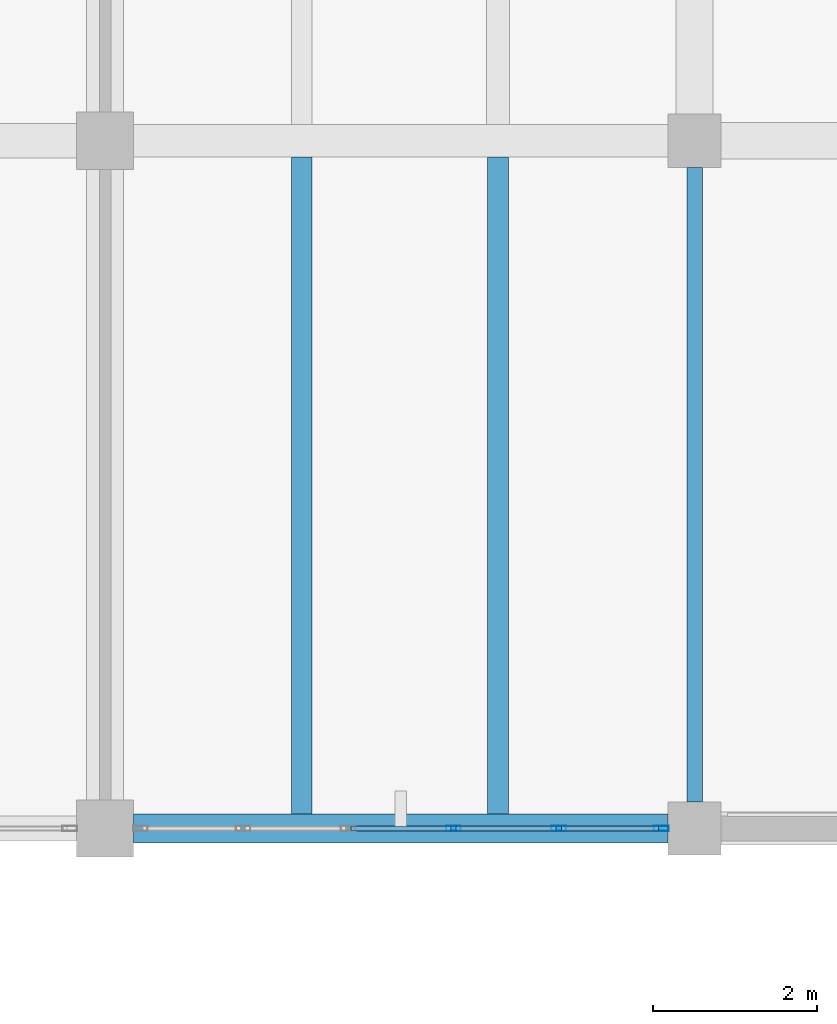
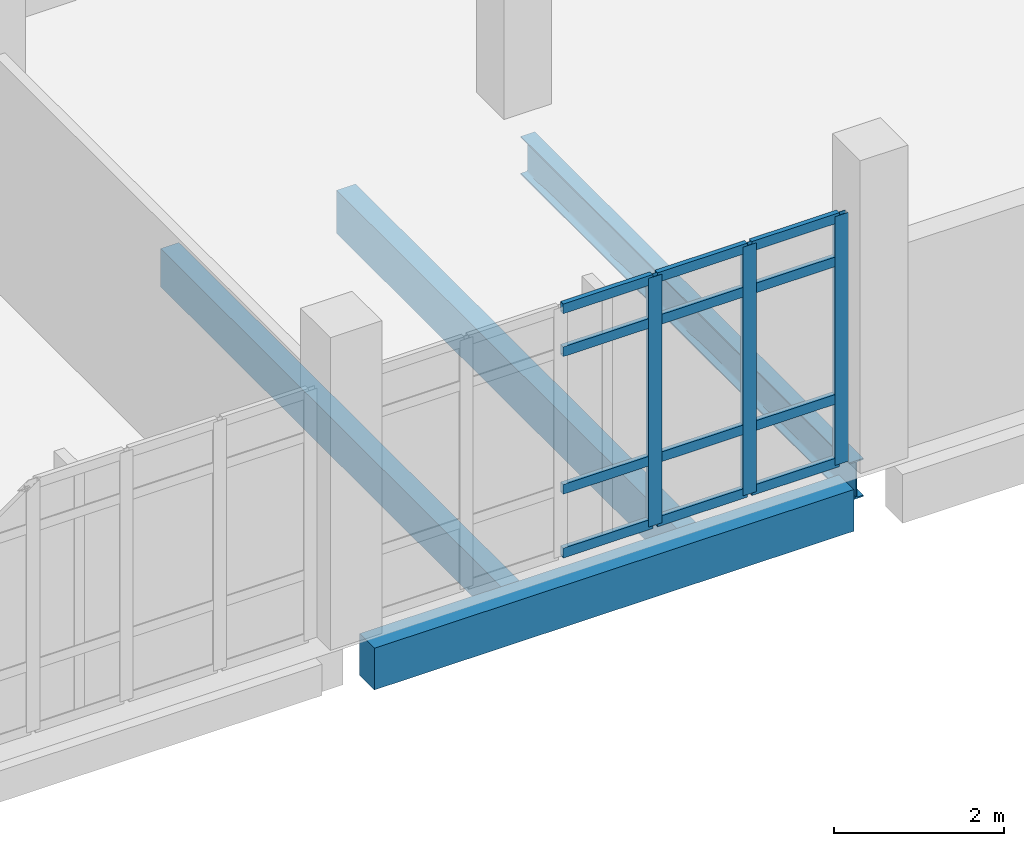
# One storey, part 50 of 87: 15 members, 4 beams, 1 element without a shape of its own.
"""IFC4 building model written with IfcOpenShell, lengths in metres."""

import ifcopenshell
import ifcopenshell.guid

model = None  # the IFC model being written
_history = None  # IfcOwnerHistory: only IFC2X3 demands one
_inside = {}  # id of a spatial element -> (the spatial element, [elements in it])
_under = {}  # id of a project, library or spatial element -> (it, [spatial elements below it])
_declared = {}  # id of a project -> (the project, [libraries it declares])
_typed = {}  # id of a type object -> (the type object, [elements of that type])
_made_of = {}  # id of a material, layer set ... -> (it, [elements and type objects made of it])


def new_model(schema):
    """Start an empty IFC model of exactly this schema.

    Asked for "IFC4X3", IfcOpenShell would pick the latest addendum, in which some entities
    have other attributes; the version numbers below select the first issue.
    IFC2X3 requires an IfcOwnerHistory on every rooted entity: one is made here for all.
    """
    global model, _history
    if schema == "IFC4X3":
        model = ifcopenshell.file(schema_version=(4, 3, 0, 0))
    else:
        model = ifcopenshell.file(schema=schema)
    _inside.clear()
    _under.clear()
    _declared.clear()
    _typed.clear()
    _made_of.clear()
    _history = None
    if model.schema == "IFC2X3":
        org = make("IfcOrganization", Name="unknown")
        user = make(
            "IfcPersonAndOrganization",
            ThePerson=make("IfcPerson", FamilyName="unknown"),
            TheOrganization=org,
        )
        app = make(
            "IfcApplication",
            ApplicationDeveloper=org,
            Version="unknown",
            ApplicationFullName="unknown",
            ApplicationIdentifier="unknown",
        )
        _history = make(
            "IfcOwnerHistory",
            OwningUser=user,
            OwningApplication=app,
            ChangeAction="ADDED",
            CreationDate=0,
        )
    return model


def make(cls, **values):
    """One entity of the class cls with the attributes given. An attribute that is None is left unset."""
    return model.create_entity(
        cls, **{name: value for name, value in values.items() if value is not None}
    )


def rooted(cls, **values):
    """An entity with a GlobalId (a new one), such as an element, a storey or a relation."""
    return make(cls, GlobalId=ifcopenshell.guid.new(), OwnerHistory=_history, **values)


def si_unit(unit_type, name, prefix=None):
    """IfcSIUnit, for example si_unit("LENGTHUNIT", "METRE", prefix="MILLI")."""
    return make("IfcSIUnit", UnitType=unit_type, Prefix=prefix, Name=name)


def assignment(units):
    """IfcUnitAssignment: the units of a project."""
    return None if units is None else make("IfcUnitAssignment", Units=units)


def point(xyz):
    """IfcCartesianPoint."""
    return None if xyz is None else make("IfcCartesianPoint", Coordinates=xyz)


def direction(xyz):
    """IfcDirection."""
    return None if xyz is None else make("IfcDirection", DirectionRatios=xyz)


def frame(location, z_axis=None, x_axis=None):
    """IfcAxis2Placement3D, a coordinate frame: its origin and axes. An axis left out is left unset."""
    return make(
        "IfcAxis2Placement3D",
        Location=point(location),
        Axis=direction(z_axis),
        RefDirection=direction(x_axis),
    )


def frame_2d(location, x_axis=None):
    """IfcAxis2Placement2D, a coordinate frame in the plane: its origin and x axis."""
    return make(
        "IfcAxis2Placement2D", Location=point(location), RefDirection=direction(x_axis)
    )


def origin():
    """The frame at (0, 0, 0) with its axes left unset."""
    return frame((0.0, 0.0, 0.0))


def origin_2d():
    """The frame at (0, 0) in the plane with its x axis left unset."""
    return frame_2d((0.0, 0.0))


def place(relative_to, where):
    """IfcLocalPlacement: puts the frame where relative to a parent placement (None: the world)."""
    return make(
        "IfcLocalPlacement", PlacementRelTo=relative_to, RelativePlacement=where
    )


def context(
    kind, dimensions, precision=None, world=None, true_north=None, identifier=None
):
    """IfcGeometricRepresentationContext, for example the 3D "Model" context."""
    return make(
        "IfcGeometricRepresentationContext",
        ContextIdentifier=identifier,
        ContextType=kind,
        CoordinateSpaceDimension=dimensions,
        Precision=precision,
        WorldCoordinateSystem=world,
        TrueNorth=true_north,
    )


def subcontext(parent, identifier, kind, view, scale=None):
    """IfcGeometricRepresentationSubContext, for example "Body" below "Model"."""
    return make(
        "IfcGeometricRepresentationSubContext",
        ContextIdentifier=identifier,
        ContextType=kind,
        ParentContext=parent,
        TargetScale=scale,
        TargetView=view,
    )


def project(units=None, contexts=None):
    """IfcProject with its units and contexts."""
    return rooted(
        "IfcProject",
        Name="project",
        RepresentationContexts=contexts,
        UnitsInContext=assignment(units),
    )


def spatial(cls, under=None, at=None, **own):
    """A site, building, storey or space (cls), placed at a placement, below another one or the project."""
    s = rooted(cls, ObjectPlacement=at, **own)
    if under is not None:
        _under.setdefault(under.id(), (under, []))[1].append(s)
    return s


def profile(cls, at=None, kind="AREA", **sizes):
    """A parametric profile (cls). Its sizes go by their IFC names, for example OverallWidth=200.0."""
    return make(cls, ProfileType=kind, Position=at, **sizes)


def rectangle(**sizes):
    """IfcRectangleProfileDef."""
    return profile("IfcRectangleProfileDef", **sizes)


def hollow_rectangle(**sizes):
    """IfcRectangleHollowProfileDef."""
    return profile("IfcRectangleHollowProfileDef", **sizes)


def i_section(**sizes):
    """IfcIShapeProfileDef."""
    return profile("IfcIShapeProfileDef", **sizes)


def extrude(swept, where, along, depth):
    """IfcExtrudedAreaSolid: the profile swept, set in the frame where, extruded along a direction by depth."""
    return make(
        "IfcExtrudedAreaSolid",
        SweptArea=swept,
        Position=where,
        ExtrudedDirection=direction(along),
        Depth=depth,
    )


def shape(context_of_items, identifier, shape_type, items):
    """IfcShapeRepresentation: the items that make up one representation, for example the "Body"."""
    return make(
        "IfcShapeRepresentation",
        ContextOfItems=context_of_items,
        RepresentationIdentifier=identifier,
        RepresentationType=shape_type,
        Items=items,
    )


def material(Name=None, Category=None):
    """IfcMaterial."""
    return make("IfcMaterial", Name=Name, Category=Category)


def material_profile(
    of_material, cross_section, Name=None, Category=None, Priority=None
):
    """IfcMaterialProfile: a cross section and its material."""
    return make(
        "IfcMaterialProfile",
        Name=Name,
        Material=of_material,
        Profile=cross_section,
        Priority=Priority,
        Category=Category,
    )


def profile_set(profiles, Name=None, composite=None):
    """IfcMaterialProfileSet."""
    return make(
        "IfcMaterialProfileSet",
        Name=Name,
        MaterialProfiles=profiles,
        CompositeProfile=composite,
    )


def made_of(thing, what):
    """Note that an element or type object is made of a material, layer set ...; save() writes the relation."""
    if what is not None:
        _made_of.setdefault(what.id(), (what, []))[1].append(thing)
    return thing


def type_object(cls, material=None, **own):
    """A type object (cls), such as IfcWallType, which elements share."""
    return made_of(rooted(cls, **own), material)


def element(
    cls,
    number,
    at=None,
    inside=None,
    cuts=None,
    type_object=None,
    material=None,
    context=None,
    identifier="Body",
    shape_type=None,
    held_by="IfcProductDefinitionShape",
    body=None,
    shapes=None,
    **own,
):
    """One element of the class cls, such as IfcWall. Its Tag is "e" and its number.

    at: its placement. inside: the storey or other place that contains it. cuts: it is an
    opening in that element (IfcRelVoidsElement). A single representation is given by context,
    identifier, shape_type and body (its items); several are given by shapes. held_by: the class
    of the entity that holds the representations. save() writes the other relations.
    """
    e = rooted(cls, Tag="e%d" % number, ObjectPlacement=at, **own)
    if body is not None:
        shapes = [shape(context, identifier, shape_type, body)]
    if shapes is not None:
        e.Representation = make(held_by, Representations=shapes)
    if inside is not None:
        _inside.setdefault(inside.id(), (inside, []))[1].append(e)
    if cuts is not None:
        rooted(
            "IfcRelVoidsElement", RelatingBuildingElement=cuts, RelatedOpeningElement=e
        )
    if type_object is not None:
        _typed.setdefault(type_object.id(), (type_object, []))[1].append(e)
    return made_of(e, material)


def aggregate(whole, parts):
    """IfcRelAggregates: a whole, such as a stair, and the parts it consists of."""
    return rooted("IfcRelAggregates", RelatingObject=whole, RelatedObjects=parts)


def save(model, path):
    """Write the relations noted so far, then the file.

    IfcRelAggregates (storeys below a building ...), IfcRelContainedInSpatialStructure (elements
    in a storey), IfcRelDefinesByType, IfcRelAssociatesMaterial and IfcRelDeclares: one each for
    every whole, place, type object, material and project.
    """
    for whole, parts in _under.values():
        aggregate(whole, parts)
    for where, things in _inside.values():
        rooted(
            "IfcRelContainedInSpatialStructure",
            RelatedElements=things,
            RelatingStructure=where,
        )
    for kind, things in _typed.values():
        rooted("IfcRelDefinesByType", RelatedObjects=things, RelatingType=kind)
    for what, things in _made_of.values():
        rooted("IfcRelAssociatesMaterial", RelatedObjects=things, RelatingMaterial=what)
    for by, libraries in _declared.values():
        rooted("IfcRelDeclares", RelatingContext=by, RelatedDefinitions=libraries)
    model.write(path)


model = new_model("IFC4")

# Units and contexts
model_context = context("Model", 3, precision=1e-05, world=origin(), true_north=direction((0.0, 1.0)))
body_context = subcontext(model_context, "Body", "Model", "MODEL_VIEW")
ifc_project = project(units=[si_unit("LENGTHUNIT", "METRE"), si_unit("AREAUNIT", "SQUARE_METRE"), si_unit("VOLUMEUNIT", "CUBIC_METRE"), si_unit("PLANEANGLEUNIT", "RADIAN"), si_unit("MASSUNIT", "GRAM", prefix="KILO")], contexts=[model_context])

# Site, building, storey
site_placement = place(None, origin())
site = spatial("IfcSite", under=ifc_project, at=site_placement, CompositionType="ELEMENT")
building_placement = place(site_placement, origin())
building = spatial("IfcBuilding", under=site, at=building_placement, Name="Kalluvel Institute of Natural Sciences", CompositionType="ELEMENT")
storey_placement = place(building_placement, frame((0.0, 0.0, 18.89990234375)))
storey = spatial("IfcBuildingStorey", under=building, at=storey_placement, Name="L04", CompositionType="ELEMENT", Elevation=18.89990234375)

# Beam
ifc_material_1 = material(Name="Steel E350 Grade 350", Category="steel")
ifc_material_profile_1 = material_profile(ifc_material_1, i_section(OverallWidth=0.18994140625, OverallDepth=0.550048828125, WebThickness=0.01123046875, FlangeThickness=0.019287109375, FilletRadius=0.01806640625, at=origin_2d()), Name="ISMB 550")
ifc_profile_set_1 = profile_set([ifc_material_profile_1], Name="Steel E350 Grade 350")
beam_type_1 = type_object("IfcBeamType", Name="BM-ISMB550", PredefinedType="BEAM", material=ifc_profile_set_1)
beam_1_placement = place(storey_placement, frame((100.39990234375, 103.125, -0.594970703125), z_axis=(0.0, 1.0, 0.0), x_axis=(-1.0, 0.0, 0.0)))
element("IfcBeam", 1, at=beam_1_placement, inside=storey, type_object=beam_type_1, Name="L04 girder GIR-L04-NS-X1004-Y1028", PredefinedType="BEAM", context=body_context, shape_type="SweptSolid", body=[
    extrude(i_section(OverallWidth=0.18994140625, OverallDepth=0.550048828125, WebThickness=0.01123046875, FlangeThickness=0.019287109375, FilletRadius=0.01806640625, at=origin_2d()), origin(), (0.0, 0.0, 1.0), 7.75),
])

# Curtain wall, members
ifc_material_2 = material(Name="Aluminium AW-6063 T6", Category="aluminium")
curtain_wall_type = type_object("IfcCurtainWallType", Name="CW-WET-45", PredefinedType="USERDEFINED", material=ifc_material_2)
curtain_wall_placement = place(storey_placement, origin())
curtain_wall = element("IfcCurtainWall", 2, at=curtain_wall_placement, inside=storey, type_object=curtain_wall_type, Name="L04 Gothic lancet curtain wall CWA-L04-X936-Y1028", ObjectType="UNITISED LANCET FACADE", PredefinedType="USERDEFINED")
ifc_material_profile_2 = material_profile(ifc_material_2, hollow_rectangle(XDim=0.06494140625, YDim=0.179931640625, WallThickness=0.00439453125, at=origin_2d()), Name="CWM 65x180")
ifc_profile_set_2 = profile_set([ifc_material_profile_2], Name="Aluminium AW-6063 T6")
member_type_1 = type_object("IfcMemberType", Name="CWM-65x180", PredefinedType="MULLION", material=ifc_profile_set_2)
member_1_placement = place(storey_placement, frame((97.455078125, 102.800048828125, 0.0), z_axis=(0.0, 0.0, 1.0), x_axis=(0.0, 1.0, 0.0)))
member_1 = element("IfcMember", 3, at=member_1_placement, type_object=member_type_1, Name="CW-01 mullion 4", PredefinedType="MULLION", context=body_context, shape_type="SweptSolid", body=[
    extrude(hollow_rectangle(XDim=0.06494140625, YDim=0.179931640625, WallThickness=0.00439453125, at=origin_2d()), origin(), (0.0, 0.0, 1.0), 3.580078125),
])
member_2_placement = place(storey_placement, frame((98.739990234375, 102.800048828125, 0.0), z_axis=(0.0, 0.0, 1.0), x_axis=(0.0, 1.0, 0.0)))
member_2 = element("IfcMember", 4, at=member_2_placement, type_object=member_type_1, Name="CW-01 mullion 5", PredefinedType="MULLION", context=body_context, shape_type="SweptSolid", body=[
    extrude(hollow_rectangle(XDim=0.06494140625, YDim=0.179931640625, WallThickness=0.00439453125, at=origin_2d()), origin(), (0.0, 0.0, 1.0), 3.580078125),
])
member_3_placement = place(storey_placement, frame((99.992431640625, 102.800048828125, 0.0), z_axis=(0.0, 0.0, 1.0), x_axis=(0.0, 1.0, 0.0)))
member_3 = element("IfcMember", 5, at=member_3_placement, type_object=member_type_1, Name="CW-01 mullion 6", PredefinedType="MULLION", context=body_context, shape_type="SweptSolid", body=[
    extrude(hollow_rectangle(XDim=0.06494140625, YDim=0.179931640625, WallThickness=0.00439453125, at=origin_2d()), origin(), (0.0, 0.0, 1.0), 3.580078125),
])
ifc_material_profile_3 = material_profile(ifc_material_2, hollow_rectangle(XDim=0.06494140625, YDim=0.139892578125, WallThickness=0.00439453125, at=origin_2d()), Name="CWT 65x140")
ifc_profile_set_3 = profile_set([ifc_material_profile_3], Name="Aluminium AW-6063 T6")
member_type_2 = type_object("IfcMemberType", Name="CWT-65x140", PredefinedType="USERDEFINED", material=ifc_profile_set_3)
member_4_placement = place(storey_placement, frame((96.202392578125, 102.800048828125, 0.03271484375), z_axis=(1.0, 0.0, 0.0), x_axis=(0.0, 1.0, 0.0)))
member_4 = element("IfcMember", 6, at=member_4_placement, type_object=member_type_2, Name="CW-01 transom 3.1", ObjectType="TRANSOM", PredefinedType="USERDEFINED", context=body_context, shape_type="SweptSolid", body=[
    extrude(hollow_rectangle(XDim=0.06494140625, YDim=0.139892578125, WallThickness=0.00439453125, at=origin_2d()), origin(), (0.0, 0.0, 1.0), 1.22021484375),
])
member_5_placement = place(storey_placement, frame((96.202392578125, 102.800048828125, 0.9501953125), z_axis=(1.0, 0.0, 0.0), x_axis=(0.0, 1.0, 0.0)))
member_5 = element("IfcMember", 7, at=member_5_placement, type_object=member_type_2, Name="CW-01 transom 3.2", ObjectType="TRANSOM", PredefinedType="USERDEFINED", context=body_context, shape_type="SweptSolid", body=[
    extrude(hollow_rectangle(XDim=0.06494140625, YDim=0.139892578125, WallThickness=0.00439453125, at=origin_2d()), origin(), (0.0, 0.0, 1.0), 1.22021484375),
])
member_6_placement = place(storey_placement, frame((96.202392578125, 102.800048828125, 2.93017578125), z_axis=(1.0, 0.0, 0.0), x_axis=(0.0, 1.0, 0.0)))
member_6 = element("IfcMember", 8, at=member_6_placement, type_object=member_type_2, Name="CW-01 transom 3.3", ObjectType="TRANSOM", PredefinedType="USERDEFINED", context=body_context, shape_type="SweptSolid", body=[
    extrude(hollow_rectangle(XDim=0.06494140625, YDim=0.139892578125, WallThickness=0.00439453125, at=origin_2d()), origin(), (0.0, 0.0, 1.0), 1.22021484375),
])
member_7_placement = place(storey_placement, frame((96.202392578125, 102.800048828125, 3.547607421875), z_axis=(1.0, 0.0, 0.0), x_axis=(0.0, 1.0, 0.0)))
member_7 = element("IfcMember", 9, at=member_7_placement, type_object=member_type_2, Name="CW-01 transom 3.4", ObjectType="TRANSOM", PredefinedType="USERDEFINED", context=body_context, shape_type="SweptSolid", body=[
    extrude(hollow_rectangle(XDim=0.06494140625, YDim=0.139892578125, WallThickness=0.00439453125, at=origin_2d()), origin(), (0.0, 0.0, 1.0), 1.22021484375),
])
member_8_placement = place(storey_placement, frame((97.487548828125, 102.800048828125, 0.03271484375), z_axis=(1.0, 0.0, 0.0), x_axis=(0.0, 1.0, 0.0)))
member_8 = element("IfcMember", 10, at=member_8_placement, type_object=member_type_2, Name="CW-01 transom 4.1", ObjectType="TRANSOM", PredefinedType="USERDEFINED", context=body_context, shape_type="SweptSolid", body=[
    extrude(hollow_rectangle(XDim=0.06494140625, YDim=0.139892578125, WallThickness=0.00439453125, at=origin_2d()), origin(), (0.0, 0.0, 1.0), 1.219970703125),
])
member_9_placement = place(storey_placement, frame((97.487548828125, 102.800048828125, 0.9501953125), z_axis=(1.0, 0.0, 0.0), x_axis=(0.0, 1.0, 0.0)))
member_9 = element("IfcMember", 11, at=member_9_placement, type_object=member_type_2, Name="CW-01 transom 4.2", ObjectType="TRANSOM", PredefinedType="USERDEFINED", context=body_context, shape_type="SweptSolid", body=[
    extrude(hollow_rectangle(XDim=0.06494140625, YDim=0.139892578125, WallThickness=0.00439453125, at=origin_2d()), origin(), (0.0, 0.0, 1.0), 1.219970703125),
])
member_10_placement = place(storey_placement, frame((97.487548828125, 102.800048828125, 2.93017578125), z_axis=(1.0, 0.0, 0.0), x_axis=(0.0, 1.0, 0.0)))
member_10 = element("IfcMember", 12, at=member_10_placement, type_object=member_type_2, Name="CW-01 transom 4.3", ObjectType="TRANSOM", PredefinedType="USERDEFINED", context=body_context, shape_type="SweptSolid", body=[
    extrude(hollow_rectangle(XDim=0.06494140625, YDim=0.139892578125, WallThickness=0.00439453125, at=origin_2d()), origin(), (0.0, 0.0, 1.0), 1.219970703125),
])
member_11_placement = place(storey_placement, frame((97.487548828125, 102.800048828125, 3.547607421875), z_axis=(1.0, 0.0, 0.0), x_axis=(0.0, 1.0, 0.0)))
member_11 = element("IfcMember", 13, at=member_11_placement, type_object=member_type_2, Name="CW-01 transom 4.4", ObjectType="TRANSOM", PredefinedType="USERDEFINED", context=body_context, shape_type="SweptSolid", body=[
    extrude(hollow_rectangle(XDim=0.06494140625, YDim=0.139892578125, WallThickness=0.00439453125, at=origin_2d()), origin(), (0.0, 0.0, 1.0), 1.219970703125),
])
member_12_placement = place(storey_placement, frame((98.7724609375, 102.800048828125, 0.03271484375), z_axis=(1.0, 0.0, 0.0), x_axis=(0.0, 1.0, 0.0)))
member_12 = element("IfcMember", 14, at=member_12_placement, type_object=member_type_2, Name="CW-01 transom 5.1", ObjectType="TRANSOM", PredefinedType="USERDEFINED", context=body_context, shape_type="SweptSolid", body=[
    extrude(hollow_rectangle(XDim=0.06494140625, YDim=0.139892578125, WallThickness=0.00439453125, at=origin_2d()), origin(), (0.0, 0.0, 1.0), 1.1875),
])
member_13_placement = place(storey_placement, frame((98.7724609375, 102.800048828125, 0.9501953125), z_axis=(1.0, 0.0, 0.0), x_axis=(0.0, 1.0, 0.0)))
member_13 = element("IfcMember", 15, at=member_13_placement, type_object=member_type_2, Name="CW-01 transom 5.2", ObjectType="TRANSOM", PredefinedType="USERDEFINED", context=body_context, shape_type="SweptSolid", body=[
    extrude(hollow_rectangle(XDim=0.06494140625, YDim=0.139892578125, WallThickness=0.00439453125, at=origin_2d()), origin(), (0.0, 0.0, 1.0), 1.1875),
])
member_14_placement = place(storey_placement, frame((98.7724609375, 102.800048828125, 2.93017578125), z_axis=(1.0, 0.0, 0.0), x_axis=(0.0, 1.0, 0.0)))
member_14 = element("IfcMember", 16, at=member_14_placement, type_object=member_type_2, Name="CW-01 transom 5.3", ObjectType="TRANSOM", PredefinedType="USERDEFINED", context=body_context, shape_type="SweptSolid", body=[
    extrude(hollow_rectangle(XDim=0.06494140625, YDim=0.139892578125, WallThickness=0.00439453125, at=origin_2d()), origin(), (0.0, 0.0, 1.0), 1.1875),
])
member_15_placement = place(storey_placement, frame((98.7724609375, 102.800048828125, 3.547607421875), z_axis=(1.0, 0.0, 0.0), x_axis=(0.0, 1.0, 0.0)))
member_15 = element("IfcMember", 17, at=member_15_placement, type_object=member_type_2, Name="CW-01 transom 5.4", ObjectType="TRANSOM", PredefinedType="USERDEFINED", context=body_context, shape_type="SweptSolid", body=[
    extrude(hollow_rectangle(XDim=0.06494140625, YDim=0.139892578125, WallThickness=0.00439453125, at=origin_2d()), origin(), (0.0, 0.0, 1.0), 1.1875),
])
aggregate(curtain_wall, [member_1, member_2, member_3, member_4, member_5, member_6, member_7, member_8, member_9, member_10, member_11, member_12, member_13, member_14, member_15])

# Beams
ifc_material_3 = material(Name="Concrete M40", Category="concrete")
ifc_material_profile_4 = material_profile(ifc_material_3, rectangle(XDim=0.35009765625, YDim=0.60009765625, at=origin_2d()), Name="RCB 350x600")
ifc_profile_set_4 = profile_set([ifc_material_profile_4], Name="Concrete M40")
beam_type_2 = type_object("IfcBeamType", Name="SP-RC350x600", PredefinedType="SPANDREL", material=ifc_profile_set_4)
beam_2_placement = place(storey_placement, frame((93.550048828125, 102.800048828125, -0.619873046875), z_axis=(1.0, 0.0, 0.0), x_axis=(0.0, 1.0, 0.0)))
element("IfcBeam", 18, at=beam_2_placement, inside=storey, type_object=beam_type_2, Name="L04 girder GIR-L04-EW-X932-Y1028", PredefinedType="SPANDREL", context=body_context, shape_type="SweptSolid", body=[
    extrude(rectangle(XDim=0.35009765625, YDim=0.60009765625, at=origin_2d()), origin(), (0.0, 0.0, 1.0), 6.52490234375),
])
ifc_material_profile_5 = material_profile(ifc_material_3, rectangle(XDim=0.25, YDim=0.550048828125, at=origin_2d()), Name="WAF 250x550")
ifc_profile_set_5 = profile_set([ifc_material_profile_5], Name="Concrete M40")
beam_type_3 = type_object("IfcBeamType", Name="WJ-250x550", PredefinedType="JOIST", material=ifc_profile_set_5)
beam_3_placement = place(storey_placement, frame((95.60009765625, 102.97509765625, -0.594970703125), z_axis=(0.0, 1.0, 0.0), x_axis=(-1.0, 0.0, 0.0)))
element("IfcBeam", 19, at=beam_3_placement, inside=storey, type_object=beam_type_3, Name="L04 waffle joist RIB-L04-0350", PredefinedType="JOIST", context=body_context, shape_type="SweptSolid", body=[
    extrude(rectangle(XDim=0.25, YDim=0.550048828125, at=origin_2d()), origin(), (0.0, 0.0, 1.0), 8.02490234375),
])
ifc_material_4 = material(Name="Concrete M50", Category="concrete")
ifc_material_profile_6 = material_profile(ifc_material_4, rectangle(XDim=0.260009765625, YDim=0.6201171875, at=origin_2d()), Name="WAF 260x620")
ifc_profile_set_6 = profile_set([ifc_material_profile_6], Name="Concrete M50")
beam_type_4 = type_object("IfcBeamType", Name="WJ-260x620", PredefinedType="JOIST", material=ifc_profile_set_6)
beam_4_placement = place(storey_placement, frame((98.0, 102.97509765625, -0.6298828125), z_axis=(0.0, 1.0, 0.0), x_axis=(-1.0, 0.0, 0.0)))
element("IfcBeam", 20, at=beam_4_placement, inside=storey, type_object=beam_type_4, Name="L04 waffle joist RIB-L04-0351", PredefinedType="JOIST", context=body_context, shape_type="SweptSolid", body=[
    extrude(rectangle(XDim=0.260009765625, YDim=0.6201171875, at=origin_2d()), origin(), (0.0, 0.0, 1.0), 8.02490234375),
])

save(model, "model.ifc")
